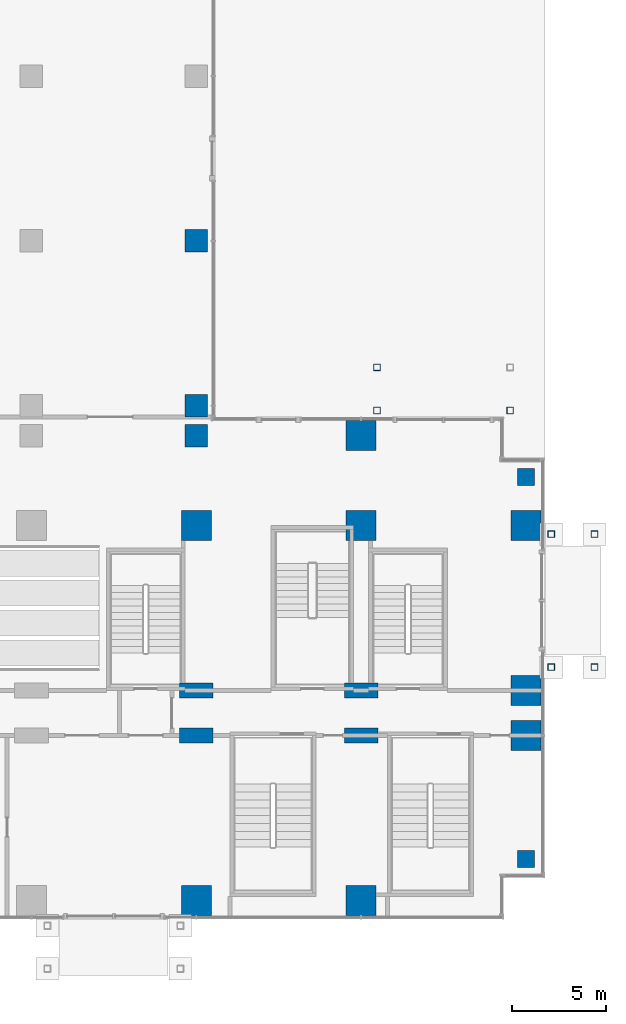
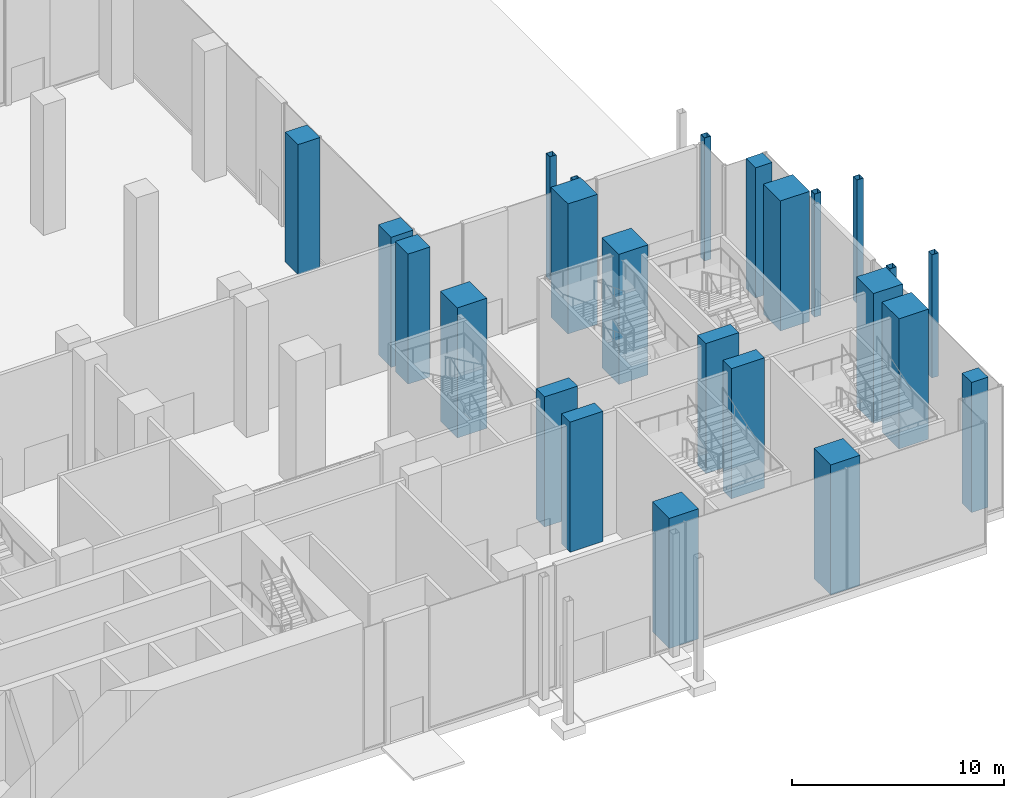
# One storey, part 5 of 41: 24 columns.
"""IFC4 building model written with IfcOpenShell, lengths in metres."""

from ifc_helpers import new_model, si_unit, direction, frame, origin, origin_2d, place, context, subcontext, project, spatial, rectangle, hollow_rectangle, extrude, material, material_profile, profile_set, type_object, element, save


model = new_model("IFC4")

# Units and contexts
model_context = context("Model", 3, precision=1e-05, world=origin(), true_north=direction((0.0, 1.0)))
body_context = subcontext(model_context, "Body", "Model", "MODEL_VIEW")
ifc_project = project(units=[si_unit("LENGTHUNIT", "METRE"), si_unit("AREAUNIT", "SQUARE_METRE"), si_unit("VOLUMEUNIT", "CUBIC_METRE"), si_unit("PLANEANGLEUNIT", "RADIAN"), si_unit("MASSUNIT", "GRAM", prefix="KILO")], contexts=[model_context])

# Site, building, storey
site_placement = place(None, origin())
site = spatial("IfcSite", under=ifc_project, at=site_placement, CompositionType="ELEMENT")
building_placement = place(site_placement, origin())
building = spatial("IfcBuilding", under=site, at=building_placement, Name="Kemantara Hotel Tower", CompositionType="ELEMENT")
storey_placement = place(building_placement, origin())
storey = spatial("IfcBuildingStorey", under=building, at=storey_placement, Name="L00", CompositionType="ELEMENT", Elevation=0.0)

# Columns
ifc_material_1 = material(Name="Steel ASTM A500 Grade C", Category="steel")
ifc_material_profile_1 = material_profile(ifc_material_1, hollow_rectangle(XDim=0.355712890625, YDim=0.355712890625, WallThickness=0.0126953125, at=origin_2d()), Name="HSS355.6X355.6X12.7")
ifc_profile_set_1 = profile_set([ifc_material_profile_1], Name="Steel ASTM A500 Grade C")
column_type_1 = type_object("IfcColumnType", Name="CANOPY POST HSS355.6X355.6X12.7", PredefinedType="COLUMN", material=ifc_profile_set_1)
for number, where, z_axis, x_axis, name in (
    (1, (81.550048828125, 13.449951171875, 0.0), (0.0, 0.0, 1.0), (1.0, 0.0, 0.0), "CANOPY POST STATION-E-1"),
    (2, (81.550048828125, 20.550048828125, 0.0), (0.0, 0.0, 1.0), (1.0, 0.0, 0.0), "CANOPY POST STATION-E-2"),
    (3, (83.85009765625, 20.550048828125, 0.0), (0.0, 0.0, 1.0), (1.0, 0.0, 0.0), "CANOPY POST STATION-E-3"),
    (4, (83.85009765625, 13.449951171875, 0.0), (0.0, 0.0, 1.0), (1.0, 0.0, 0.0), "CANOPY POST STATION-E-4"),
    (5, (79.35009765625, 27.14990234375, 0.0), (0.0, 0.0, 1.0), (1.0, 0.0, 0.0), "CANOPY POST STATION-N-1"),
    (6, (72.25, 27.14990234375, 0.0), (0.0, 0.0, 1.0), (1.0, 0.0, 0.0), "CANOPY POST STATION-N-2"),
    (7, (72.25, 29.449951171875, 0.0), (0.0, 0.0, 1.0), (1.0, 0.0, 0.0), "CANOPY POST STATION-N-3"),
):
    element("IfcColumn", number, at=place(storey_placement, frame(where, z_axis=z_axis, x_axis=x_axis)), inside=storey, type_object=column_type_1, Name=name, PredefinedType="COLUMN", context=body_context, shape_type="SweptSolid", body=[
        extrude(hollow_rectangle(XDim=0.355712890625, YDim=0.355712890625, WallThickness=0.0126953125, at=origin_2d()), origin(), (0.0, 0.0, 1.0), 7.10009765625),
    ])
ifc_material_2 = material(Name="Concrete fc 70 MPa", Category="concrete")
ifc_material_profile_2 = material_profile(ifc_material_2, rectangle(XDim=1.199951171875, YDim=1.199951171875, at=origin_2d()), Name="RC 1200X1200")
ifc_profile_set_2 = profile_set([ifc_material_profile_2], Name="Concrete fc 70 MPa")
column_type_2 = type_object("IfcColumnType", Name="RC COLUMN 1200X1200 FC70", PredefinedType="COLUMN", material=ifc_profile_set_2)
for number, where, z_axis, x_axis, name in (
    (8, (62.60009765625, 25.800048828125, 0.0), (0.0, 0.0, 1.0), (1.0, 0.0, 0.0), "COLUMN 8/CA L00"),
    (9, (62.60009765625, 27.39990234375, 0.0), (0.0, 0.0, 1.0), (1.0, 0.0, 0.0), "COLUMN 8/D L00"),
    (10, (62.60009765625, 36.199951171875, 0.0), (0.0, 0.0, 1.0), (1.0, 0.0, 0.0), "COLUMN 8/E L00"),
):
    element("IfcColumn", number, at=place(storey_placement, frame(where, z_axis=z_axis, x_axis=x_axis)), inside=storey, type_object=column_type_2, Name=name, PredefinedType="COLUMN", context=body_context, shape_type="SweptSolid", body=[
        extrude(rectangle(XDim=1.199951171875, YDim=1.199951171875, at=origin_2d()), origin(), (0.0, 0.0, 1.0), 7.5),
    ])
ifc_material_profile_3 = material_profile(ifc_material_2, rectangle(XDim=1.60009765625, YDim=1.60009765625, at=origin_2d()), Name="RC 1600X1600")
ifc_profile_set_3 = profile_set([ifc_material_profile_3], Name="Concrete fc 70 MPa")
column_type_3 = type_object("IfcColumnType", Name="RC COLUMN 1600X1600 FC70", PredefinedType="COLUMN", material=ifc_profile_set_3)
for number, where, z_axis, x_axis, name in (
    (11, (62.60009765625, 1.0, 0.0), (0.0, 0.0, 1.0), (1.0, 0.0, 0.0), "COLUMN 8/A L00"),
    (12, (62.60009765625, 21.0, 0.0), (0.0, 0.0, 1.0), (1.0, 0.0, 0.0), "COLUMN 8/C L00"),
    (13, (71.39990234375, 1.0, 0.0), (0.0, 0.0, 1.0), (1.0, 0.0, 0.0), "COLUMN 9/A L00"),
    (14, (71.39990234375, 21.0, 0.0), (0.0, 0.0, 1.0), (1.0, 0.0, 0.0), "COLUMN 9/C L00"),
    (15, (71.39990234375, 25.800048828125, 0.0), (0.0, 0.0, 1.0), (1.0, 0.0, 0.0), "COLUMN 9/CA L00"),
    (16, (80.199951171875, 9.800048828125, 0.0), (0.0, 0.0, 1.0), (1.0, 0.0, 0.0), "COLUMN 10/B L00"),
    (17, (80.199951171875, 12.199951171875, 0.0), (0.0, 0.0, 1.0), (1.0, 0.0, 0.0), "COLUMN 10/BA L00"),
    (18, (80.199951171875, 21.0, 0.0), (0.0, 0.0, 1.0), (1.0, 0.0, 0.0), "COLUMN 10/C L00"),
):
    element("IfcColumn", number, at=place(storey_placement, frame(where, z_axis=z_axis, x_axis=x_axis)), inside=storey, type_object=column_type_3, Name=name, PredefinedType="COLUMN", context=body_context, shape_type="SweptSolid", body=[
        extrude(rectangle(XDim=1.60009765625, YDim=1.60009765625, at=origin_2d()), origin(), (0.0, 0.0, 1.0), 7.5),
    ])
ifc_material_profile_4 = material_profile(ifc_material_2, rectangle(XDim=1.800048828125, YDim=0.800048828125, at=origin_2d()), Name="RC 1800X800")
ifc_profile_set_4 = profile_set([ifc_material_profile_4], Name="Concrete fc 70 MPa")
column_type_4 = type_object("IfcColumnType", Name="RC COLUMN 1800X800 FC70", PredefinedType="COLUMN", material=ifc_profile_set_4)
for number, where, z_axis, x_axis, name in (
    (19, (62.60009765625, 9.800048828125, 0.0), (0.0, 0.0, 1.0), (1.0, 0.0, 0.0), "COLUMN 8/B L00"),
    (20, (62.60009765625, 12.199951171875, 0.0), (0.0, 0.0, 1.0), (1.0, 0.0, 0.0), "COLUMN 8/BA L00"),
    (21, (71.39990234375, 9.800048828125, 0.0), (0.0, 0.0, 1.0), (1.0, 0.0, 0.0), "COLUMN 9/B L00"),
    (22, (71.39990234375, 12.199951171875, 0.0), (0.0, 0.0, 1.0), (1.0, 0.0, 0.0), "COLUMN 9/BA L00"),
):
    element("IfcColumn", number, at=place(storey_placement, frame(where, z_axis=z_axis, x_axis=x_axis)), inside=storey, type_object=column_type_4, Name=name, PredefinedType="COLUMN", context=body_context, shape_type="SweptSolid", body=[
        extrude(rectangle(XDim=1.800048828125, YDim=0.800048828125, at=origin_2d()), origin(), (0.0, 0.0, 1.0), 7.5),
    ])
ifc_material_profile_5 = material_profile(ifc_material_2, rectangle(XDim=0.89990234375, YDim=0.89990234375, at=origin_2d()), Name="RC 900X900")
ifc_profile_set_5 = profile_set([ifc_material_profile_5], Name="Concrete fc 70 MPa")
column_type_5 = type_object("IfcColumnType", Name="RC COLUMN 900X900 FC70", PredefinedType="COLUMN", material=ifc_profile_set_5)
for number, where, z_axis, x_axis, name in (
    (23, (80.199951171875, 3.199951171875, 0.0), (0.0, 0.0, 1.0), (1.0, 0.0, 0.0), "COLUMN notch corner L00"),
    (24, (80.199951171875, 23.60009765625, 0.0), (0.0, 0.0, 1.0), (1.0, 0.0, 0.0), "COLUMN notch corner L00"),
):
    element("IfcColumn", number, at=place(storey_placement, frame(where, z_axis=z_axis, x_axis=x_axis)), inside=storey, type_object=column_type_5, Name=name, PredefinedType="COLUMN", context=body_context, shape_type="SweptSolid", body=[
        extrude(rectangle(XDim=0.89990234375, YDim=0.89990234375, at=origin_2d()), origin(), (0.0, 0.0, 1.0), 7.5),
    ])

save(model, "model.ifc")
